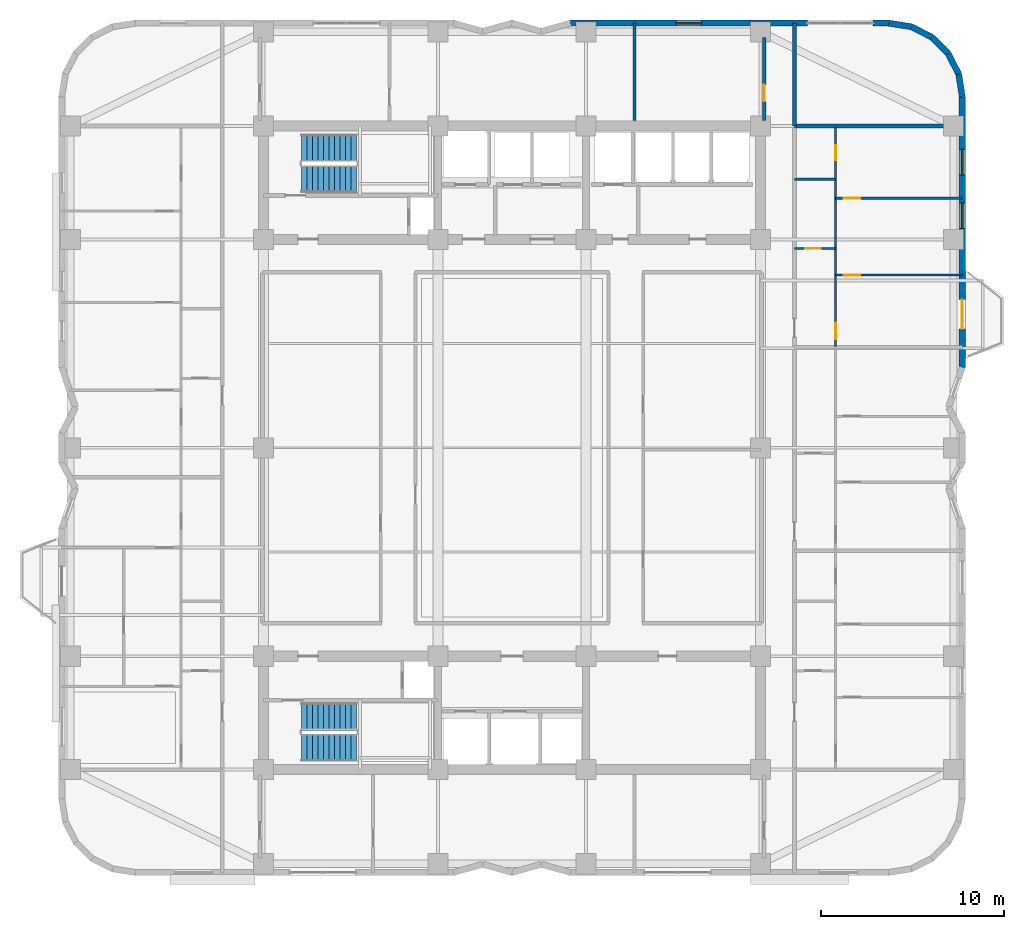
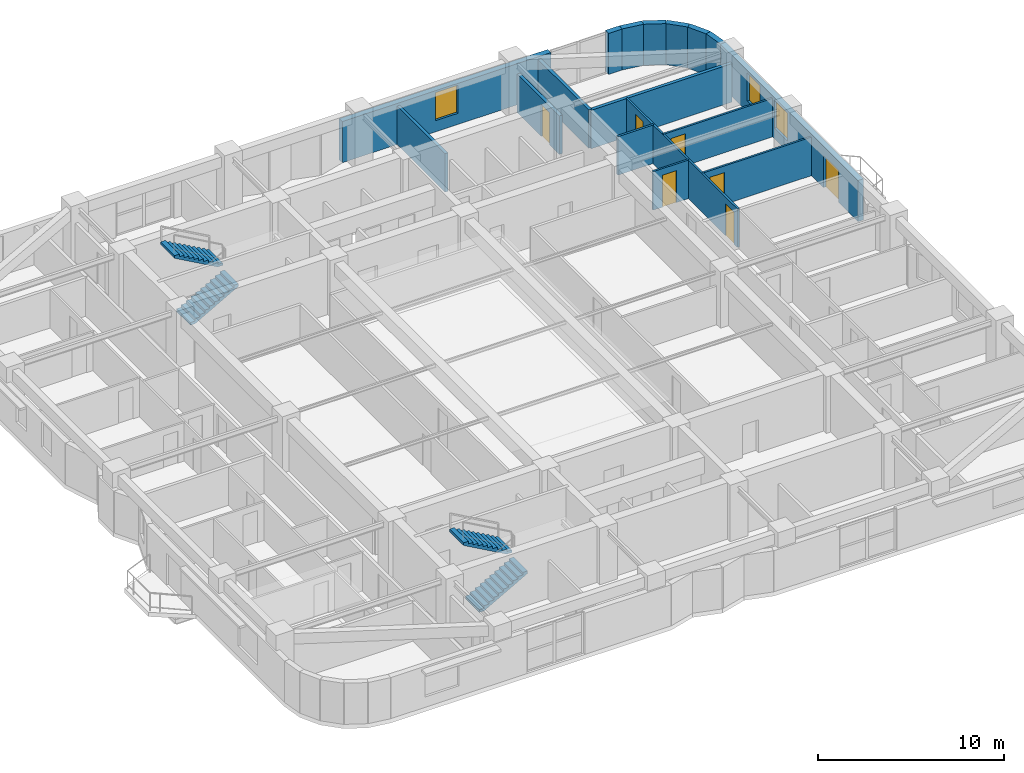
# One storey, part 12 of 15: 17 walls, 7 doors, 4 stair flights, 3 windows, 10 openings, 2 elements without a shape of their own.
"""IFC4 building model written with IfcOpenShell, lengths in metres."""

import ifcopenshell
import ifcopenshell.guid

model = None  # the IFC model being written
_history = None  # IfcOwnerHistory: only IFC2X3 demands one
_inside = {}  # id of a spatial element -> (the spatial element, [elements in it])
_under = {}  # id of a project, library or spatial element -> (it, [spatial elements below it])
_declared = {}  # id of a project -> (the project, [libraries it declares])
_typed = {}  # id of a type object -> (the type object, [elements of that type])
_made_of = {}  # id of a material, layer set ... -> (it, [elements and type objects made of it])


def new_model(schema):
    """Start an empty IFC model of exactly this schema.

    Asked for "IFC4X3", IfcOpenShell would pick the latest addendum, in which some entities
    have other attributes; the version numbers below select the first issue.
    IFC2X3 requires an IfcOwnerHistory on every rooted entity: one is made here for all.
    """
    global model, _history
    if schema == "IFC4X3":
        model = ifcopenshell.file(schema_version=(4, 3, 0, 0))
    else:
        model = ifcopenshell.file(schema=schema)
    _inside.clear()
    _under.clear()
    _declared.clear()
    _typed.clear()
    _made_of.clear()
    _history = None
    if model.schema == "IFC2X3":
        org = make("IfcOrganization", Name="unknown")
        user = make(
            "IfcPersonAndOrganization",
            ThePerson=make("IfcPerson", FamilyName="unknown"),
            TheOrganization=org,
        )
        app = make(
            "IfcApplication",
            ApplicationDeveloper=org,
            Version="unknown",
            ApplicationFullName="unknown",
            ApplicationIdentifier="unknown",
        )
        _history = make(
            "IfcOwnerHistory",
            OwningUser=user,
            OwningApplication=app,
            ChangeAction="ADDED",
            CreationDate=0,
        )
    return model


def make(cls, **values):
    """One entity of the class cls with the attributes given. An attribute that is None is left unset."""
    return model.create_entity(
        cls, **{name: value for name, value in values.items() if value is not None}
    )


def rooted(cls, **values):
    """An entity with a GlobalId (a new one), such as an element, a storey or a relation."""
    return make(cls, GlobalId=ifcopenshell.guid.new(), OwnerHistory=_history, **values)


def si_unit(unit_type, name, prefix=None):
    """IfcSIUnit, for example si_unit("LENGTHUNIT", "METRE", prefix="MILLI")."""
    return make("IfcSIUnit", UnitType=unit_type, Prefix=prefix, Name=name)


def assignment(units):
    """IfcUnitAssignment: the units of a project."""
    return None if units is None else make("IfcUnitAssignment", Units=units)


def point(xyz):
    """IfcCartesianPoint."""
    return None if xyz is None else make("IfcCartesianPoint", Coordinates=xyz)


def direction(xyz):
    """IfcDirection."""
    return None if xyz is None else make("IfcDirection", DirectionRatios=xyz)


def frame(location, z_axis=None, x_axis=None):
    """IfcAxis2Placement3D, a coordinate frame: its origin and axes. An axis left out is left unset."""
    return make(
        "IfcAxis2Placement3D",
        Location=point(location),
        Axis=direction(z_axis),
        RefDirection=direction(x_axis),
    )


def frame_2d(location, x_axis=None):
    """IfcAxis2Placement2D, a coordinate frame in the plane: its origin and x axis."""
    return make(
        "IfcAxis2Placement2D", Location=point(location), RefDirection=direction(x_axis)
    )


def origin():
    """The frame at (0, 0, 0) with its axes left unset."""
    return frame((0.0, 0.0, 0.0))


def place(relative_to, where):
    """IfcLocalPlacement: puts the frame where relative to a parent placement (None: the world)."""
    return make(
        "IfcLocalPlacement", PlacementRelTo=relative_to, RelativePlacement=where
    )


def context(
    kind, dimensions, precision=None, world=None, true_north=None, identifier=None
):
    """IfcGeometricRepresentationContext, for example the 3D "Model" context."""
    return make(
        "IfcGeometricRepresentationContext",
        ContextIdentifier=identifier,
        ContextType=kind,
        CoordinateSpaceDimension=dimensions,
        Precision=precision,
        WorldCoordinateSystem=world,
        TrueNorth=true_north,
    )


def subcontext(parent, identifier, kind, view, scale=None):
    """IfcGeometricRepresentationSubContext, for example "Body" below "Model"."""
    return make(
        "IfcGeometricRepresentationSubContext",
        ContextIdentifier=identifier,
        ContextType=kind,
        ParentContext=parent,
        TargetScale=scale,
        TargetView=view,
    )


def project(units=None, contexts=None):
    """IfcProject with its units and contexts."""
    return rooted(
        "IfcProject",
        Name="project",
        RepresentationContexts=contexts,
        UnitsInContext=assignment(units),
    )


def spatial(cls, under=None, at=None, **own):
    """A site, building, storey or space (cls), placed at a placement, below another one or the project."""
    s = rooted(cls, ObjectPlacement=at, **own)
    if under is not None:
        _under.setdefault(under.id(), (under, []))[1].append(s)
    return s


def polyline(points):
    """IfcPolyline through the points."""
    return make("IfcPolyline", Points=[point(p) for p in points])


def profile(cls, at=None, kind="AREA", **sizes):
    """A parametric profile (cls). Its sizes go by their IFC names, for example OverallWidth=200.0."""
    return make(cls, ProfileType=kind, Position=at, **sizes)


def rectangle(**sizes):
    """IfcRectangleProfileDef."""
    return profile("IfcRectangleProfileDef", **sizes)


def outline(outer, holes=None, kind="AREA"):
    """IfcArbitraryClosedProfileDef: a profile drawn as a closed curve; with holes, ...WithVoids."""
    if holes is None:
        return make("IfcArbitraryClosedProfileDef", ProfileType=kind, OuterCurve=outer)
    return make(
        "IfcArbitraryProfileDefWithVoids",
        ProfileType=kind,
        OuterCurve=outer,
        InnerCurves=holes,
    )


def extrude(swept, where, along, depth):
    """IfcExtrudedAreaSolid: the profile swept, set in the frame where, extruded along a direction by depth."""
    return make(
        "IfcExtrudedAreaSolid",
        SweptArea=swept,
        Position=where,
        ExtrudedDirection=direction(along),
        Depth=depth,
    )


def shape(context_of_items, identifier, shape_type, items):
    """IfcShapeRepresentation: the items that make up one representation, for example the "Body"."""
    return make(
        "IfcShapeRepresentation",
        ContextOfItems=context_of_items,
        RepresentationIdentifier=identifier,
        RepresentationType=shape_type,
        Items=items,
    )


def material(Name=None, Category=None):
    """IfcMaterial."""
    return make("IfcMaterial", Name=Name, Category=Category)


def layer(
    of_material, thickness, ventilated=None, Name=None, Category=None, Priority=None
):
    """IfcMaterialLayer: one layer of a wall or slab, of a material (None: an air gap)."""
    return make(
        "IfcMaterialLayer",
        Material=of_material,
        LayerThickness=thickness,
        IsVentilated=ventilated,
        Name=Name,
        Category=Category,
        Priority=Priority,
    )


def layer_set(layers, Name=None):
    """IfcMaterialLayerSet."""
    return make("IfcMaterialLayerSet", MaterialLayers=layers, LayerSetName=Name)


def made_of(thing, what):
    """Note that an element or type object is made of a material, layer set ...; save() writes the relation."""
    if what is not None:
        _made_of.setdefault(what.id(), (what, []))[1].append(thing)
    return thing


def type_object(cls, material=None, **own):
    """A type object (cls), such as IfcWallType, which elements share."""
    return made_of(rooted(cls, **own), material)


def element(
    cls,
    number,
    at=None,
    inside=None,
    cuts=None,
    type_object=None,
    material=None,
    context=None,
    identifier="Body",
    shape_type=None,
    held_by="IfcProductDefinitionShape",
    body=None,
    shapes=None,
    **own,
):
    """One element of the class cls, such as IfcWall. Its Tag is "e" and its number.

    at: its placement. inside: the storey or other place that contains it. cuts: it is an
    opening in that element (IfcRelVoidsElement). A single representation is given by context,
    identifier, shape_type and body (its items); several are given by shapes. held_by: the class
    of the entity that holds the representations. save() writes the other relations.
    """
    e = rooted(cls, Tag="e%d" % number, ObjectPlacement=at, **own)
    if body is not None:
        shapes = [shape(context, identifier, shape_type, body)]
    if shapes is not None:
        e.Representation = make(held_by, Representations=shapes)
    if inside is not None:
        _inside.setdefault(inside.id(), (inside, []))[1].append(e)
    if cuts is not None:
        rooted(
            "IfcRelVoidsElement", RelatingBuildingElement=cuts, RelatedOpeningElement=e
        )
    if type_object is not None:
        _typed.setdefault(type_object.id(), (type_object, []))[1].append(e)
    return made_of(e, material)


def fill(opening, filler):
    """IfcRelFillsElement: the door or window that sits in an opening."""
    return rooted(
        "IfcRelFillsElement",
        RelatingOpeningElement=opening,
        RelatedBuildingElement=filler,
    )


def aggregate(whole, parts):
    """IfcRelAggregates: a whole, such as a stair, and the parts it consists of."""
    return rooted("IfcRelAggregates", RelatingObject=whole, RelatedObjects=parts)


def save(model, path):
    """Write the relations noted so far, then the file.

    IfcRelAggregates (storeys below a building ...), IfcRelContainedInSpatialStructure (elements
    in a storey), IfcRelDefinesByType, IfcRelAssociatesMaterial and IfcRelDeclares: one each for
    every whole, place, type object, material and project.
    """
    for whole, parts in _under.values():
        aggregate(whole, parts)
    for where, things in _inside.values():
        rooted(
            "IfcRelContainedInSpatialStructure",
            RelatedElements=things,
            RelatingStructure=where,
        )
    for kind, things in _typed.values():
        rooted("IfcRelDefinesByType", RelatedObjects=things, RelatingType=kind)
    for what, things in _made_of.values():
        rooted("IfcRelAssociatesMaterial", RelatedObjects=things, RelatingMaterial=what)
    for by, libraries in _declared.values():
        rooted("IfcRelDeclares", RelatingContext=by, RelatedDefinitions=libraries)
    model.write(path)


model = new_model("IFC4")

# Units and contexts
model_context = context("Model", 3, precision=1e-05, world=origin(), true_north=direction((0.0, 1.0)))
body_context = subcontext(model_context, "Body", "Model", "MODEL_VIEW")
ifc_project = project(units=[si_unit("LENGTHUNIT", "METRE"), si_unit("AREAUNIT", "SQUARE_METRE"), si_unit("VOLUMEUNIT", "CUBIC_METRE"), si_unit("PLANEANGLEUNIT", "RADIAN"), si_unit("MASSUNIT", "GRAM", prefix="KILO")], contexts=[model_context])

# Site, building, storey
site_placement = place(None, origin())
site = spatial("IfcSite", under=ifc_project, at=site_placement, CompositionType="ELEMENT")
building_placement = place(site_placement, origin())
building = spatial("IfcBuilding", under=site, at=building_placement, Name="Svetorya Sky Lyceum", CompositionType="ELEMENT")
storey_placement = place(building_placement, frame((0.0, 0.0, 117.89990234375)))
storey = spatial("IfcBuildingStorey", under=building, at=storey_placement, Name="L29", CompositionType="ELEMENT", Elevation=117.89990234375)

# Wall, openings, door, windows
ifc_material_1 = material(Name="Putilovo limestone rainscreen on autoclaved cellular masonry", Category="masonry")
ifc_layer_1 = layer(ifc_material_1, 0.340087890625)
ifc_layer_set_1 = layer_set([ifc_layer_1], Name="Putilovo limestone rainscreen on autoclaved cellular masonry")
wall_type_1 = type_object("IfcWallType", Name="WL-EXT-340", PredefinedType="SOLIDWALL", material=ifc_layer_set_1)
wall_1_placement = place(storey_placement, frame((63.830078125, 32.60009765625, 0.0), z_axis=(0.0, 0.0, 1.0), x_axis=(0.0, 1.0, 0.0)))
wall_1 = element("IfcWall", 1, at=wall_1_placement, inside=storey, type_object=wall_type_1, Name="L29 Limestone Exterior Wall 23M", PredefinedType="SOLIDWALL", context=body_context, shape_type="SweptSolid", body=[
    extrude(rectangle(XDim=14.7998046875, YDim=0.340087890625, at=frame_2d((7.39990234375, 0.0))), origin(), (0.0, 0.0, 1.0), 2.7001953125),
])
opening_1_placement = place(wall_1_placement, frame((2.10009765625, 0.0, 0.0)))
opening_1 = element("IfcOpeningElement", 2, at=opening_1_placement, cuts=wall_1, Name="Opening D-BL1", PredefinedType="OPENING", context=body_context, shape_type="SweptSolid", body=[
    extrude(rectangle(XDim=1.60009765625, YDim=2.10009765625, at=frame_2d((0.800048828125, 1.050048828125))), frame((0.0, 0.179931640625, 0.0), z_axis=(0.0, -1.0, 0.0), x_axis=(1.0, 0.0, 0.0)), (0.0, 0.0, 1.0), 0.360107421875),
])
opening_2_placement = place(wall_1_placement, frame((7.60009765625, 0.0, 0.68994140625)))
opening_2 = element("IfcOpeningElement", 3, at=opening_2_placement, cuts=wall_1, Name="Opening W-R2", PredefinedType="OPENING", context=body_context, shape_type="SweptSolid", body=[
    extrude(rectangle(XDim=1.39990234375, YDim=1.85009765625, at=frame_2d((0.699951171875, 0.925048828125))), frame((0.0, 0.179931640625, 0.0), z_axis=(0.0, -1.0, 0.0), x_axis=(1.0, 0.0, 0.0)), (0.0, 0.0, 1.0), 0.360107421875),
])
opening_3_placement = place(wall_1_placement, frame((10.52001953125, 0.0, 0.68994140625)))
opening_3 = element("IfcOpeningElement", 4, at=opening_3_placement, cuts=wall_1, Name="Opening W-R2", PredefinedType="OPENING", context=body_context, shape_type="SweptSolid", body=[
    extrude(rectangle(XDim=1.39990234375, YDim=1.85009765625, at=frame_2d((0.699951171875, 0.925048828125))), frame((0.0, 0.179931640625, 0.0), z_axis=(0.0, -1.0, 0.0), x_axis=(1.0, 0.0, 0.0)), (0.0, 0.0, 1.0), 0.360107421875),
])
ifc_material_2 = material(Name="Insulated glazed aluminium balcony door", Category="aluminium")
door_type_1 = type_object("IfcDoorType", Name="DR-BAL-1600", OperationType="DOUBLE_DOOR_SINGLE_SWING", PredefinedType="DOOR", material=ifc_material_2)
door_1_placement = place(opening_1_placement, origin())
door_1 = element("IfcDoor", 5, at=door_1_placement, inside=storey, type_object=door_type_1, Name="L29 Balcony BAL-E1 Door", OperationType="DOUBLE_DOOR_SINGLE_SWING", OverallHeight=2.10009765625, OverallWidth=1.60009765625, PredefinedType="DOOR", context=body_context, shape_type="SweptSolid", body=[
    extrude(rectangle(XDim=1.60009765625, YDim=2.10009765625, at=frame_2d((0.800048828125, 1.050048828125))), frame((0.0, 0.02490234375, 0.0), z_axis=(0.0, -1.0, 0.0), x_axis=(1.0, 0.0, 0.0)), (0.0, 0.0, 1.0), 0.050048828125),
])
fill(opening_1, door_1)
ifc_material_3 = material(Name="Thermally broken aluminium frame with triple low-E glazing", Category="aluminium")
window_type = type_object("IfcWindowType", Name="WN-RES-140", PartitioningType="SINGLE_PANEL", PredefinedType="WINDOW", material=ifc_material_3)
window_1_placement = place(opening_2_placement, origin())
window_1 = element("IfcWindow", 6, at=window_1_placement, inside=storey, type_object=window_type, Name="L29 Facade Window W-R2.23M.1", OverallHeight=1.85009765625, OverallWidth=1.39990234375, PartitioningType="SINGLE_PANEL", PredefinedType="WINDOW", context=body_context, shape_type="SweptSolid", body=[
    extrude(rectangle(XDim=1.39990234375, YDim=1.85009765625, at=frame_2d((0.699951171875, 0.925048828125))), frame((0.0, 0.030029296875, 0.0), z_axis=(0.0, -1.0, 0.0), x_axis=(1.0, 0.0, 0.0)), (0.0, 0.0, 1.0), 0.06005859375),
])
fill(opening_2, window_1)
window_2_placement = place(opening_3_placement, origin())
window_2 = element("IfcWindow", 7, at=window_2_placement, inside=storey, type_object=window_type, Name="L29 Facade Window W-R2.23M.2", OverallHeight=1.85009765625, OverallWidth=1.39990234375, PartitioningType="SINGLE_PANEL", PredefinedType="WINDOW", context=body_context, shape_type="SweptSolid", body=[
    extrude(rectangle(XDim=1.39990234375, YDim=1.85009765625, at=frame_2d((0.699951171875, 0.925048828125))), frame((0.0, 0.030029296875, 0.0), z_axis=(0.0, -1.0, 0.0), x_axis=(1.0, 0.0, 0.0)), (0.0, 0.0, 1.0), 0.06005859375),
])
fill(opening_3, window_2)

# Walls
for number, where, z_axis, x_axis, name in (
    (8, (63.830078125, 47.39990234375, 0.0), (0.0, 0.0, 1.0), (-0.15644975923, 0.987685918112, 0.0), "L29 Limestone Exterior Wall 24M"),
    (9, (63.6328125, 48.645263671875, 0.0), (0.0, 0.0, 1.0), (-0.454015689056, 0.890993689142, 0.0), "L29 Limestone Exterior Wall 25M"),
    (10, (63.060302734375, 49.768798828125, 0.0), (0.0, 0.0, 1.0), (-0.707106781187, 0.707106781187, 0.0), "L29 Limestone Exterior Wall 26M"),
):
    element("IfcWall", number, at=place(storey_placement, frame(where, z_axis=z_axis, x_axis=x_axis)), inside=storey, type_object=wall_type_1, Name=name, PredefinedType="SOLIDWALL", context=body_context, shape_type="SweptSolid", body=[
        extrude(rectangle(XDim=1.260986328125, YDim=0.340087890625, at=frame_2d((0.63037109375, 0.0))), origin(), (0.0, 0.0, 1.0), 2.7001953125),
    ])
for number, where, z_axis, x_axis, name in (
    (11, (62.168701171875, 50.660400390625, 0.0), (0.0, 0.0, 1.0), (-0.890953769915, 0.454094020963, 0.0), "L29 Limestone Exterior Wall 27M"),
    (12, (61.04541015625, 51.23291015625, 0.0), (0.0, 0.0, 1.0), (-0.98771582066, 0.156260864002, 0.0), "L29 Limestone Exterior Wall 28M"),
):
    element("IfcWall", number, at=place(storey_placement, frame(where, z_axis=z_axis, x_axis=x_axis)), inside=storey, type_object=wall_type_1, Name=name, PredefinedType="SOLIDWALL", context=body_context, shape_type="SweptSolid", body=[
        extrude(rectangle(XDim=1.2607421875, YDim=0.340087890625, at=frame_2d((0.63037109375, 0.0))), origin(), (0.0, 0.0, 1.0), 2.7001953125),
    ])
wall_2_placement = place(storey_placement, frame((59.800048828125, 51.429931640625, 0.0), z_axis=(0.0, 0.0, 1.0), x_axis=(-1.0, 0.0, 0.0)))
element("IfcWall", 13, at=wall_2_placement, inside=storey, type_object=wall_type_1, Name="L29 Limestone Exterior Wall 29A", PredefinedType="SOLIDWALL", context=body_context, shape_type="SweptSolid", body=[
    extrude(rectangle(XDim=0.85009765625, YDim=0.340087890625, at=frame_2d((0.425048828125, 0.0))), origin(), (0.0, 0.0, 1.0), 2.7001953125),
])

# Wall, opening, window
wall_3_placement = place(storey_placement, frame((55.35009765625, 51.429931640625, 0.0), z_axis=(0.0, 0.0, 1.0), x_axis=(-1.0, 0.0, 0.0)))
wall_3 = element("IfcWall", 14, at=wall_3_placement, inside=storey, type_object=wall_type_1, Name="L29 Limestone Exterior Wall 29B", PredefinedType="SOLIDWALL", context=body_context, shape_type="SweptSolid", body=[
    extrude(rectangle(XDim=12.9501953125, YDim=0.340087890625, at=frame_2d((6.47509765625, 0.0))), origin(), (0.0, 0.0, 1.0), 2.7001953125),
])
opening_4_placement = place(wall_3_placement, frame((5.77490234375, 0.0, 0.72998046875)))
opening_4 = element("IfcOpeningElement", 15, at=opening_4_placement, cuts=wall_3, Name="Opening W-R2", PredefinedType="OPENING", context=body_context, shape_type="SweptSolid", body=[
    extrude(rectangle(XDim=1.39990234375, YDim=1.85009765625, at=frame_2d((0.699951171875, 0.925048828125))), frame((0.0, 0.179931640625, 0.0), z_axis=(0.0, -1.0, 0.0), x_axis=(1.0, 0.0, 0.0)), (0.0, 0.0, 1.0), 0.360107421875),
])
window_3_placement = place(opening_4_placement, origin())
window_3 = element("IfcWindow", 16, at=window_3_placement, inside=storey, type_object=window_type, Name="L29 Facade Window W-R2.29B.1", OverallHeight=1.85009765625, OverallWidth=1.39990234375, PartitioningType="SINGLE_PANEL", PredefinedType="WINDOW", context=body_context, shape_type="SweptSolid", body=[
    extrude(rectangle(XDim=1.39990234375, YDim=1.85009765625, at=frame_2d((0.699951171875, 0.925048828125))), frame((0.0, 0.030029296875, 0.0), z_axis=(0.0, -1.0, 0.0), x_axis=(1.0, 0.0, 0.0)), (0.0, 0.0, 1.0), 0.06005859375),
])
fill(opening_4, window_3)

# Wall, opening, door
ifc_material_4 = material(Name="Twin-stud galvanized framing with double fireboard", Category="gypsum")
ifc_layer_2 = layer(ifc_material_4, 0.1201171875)
ifc_layer_set_2 = layer_set([ifc_layer_2], Name="Twin-stud galvanized framing with double fireboard")
wall_type_2 = type_object("IfcWallType", Name="WL-PART-120", PredefinedType="PARTITIONING", material=ifc_layer_set_2)
wall_4_placement = place(storey_placement, frame((54.64990234375, 39.10009765625, 0.0), z_axis=(0.0, 0.0, 1.0), x_axis=(1.0, 0.0, 0.0)))
wall_4 = element("IfcWall", 17, at=wall_4_placement, inside=storey, type_object=wall_type_2, Name="L29 Interior Partition E3-WH1", PredefinedType="PARTITIONING", context=body_context, shape_type="SweptSolid", body=[
    extrude(rectangle(XDim=2.25, YDim=0.1201171875, at=frame_2d((1.125, 0.0))), origin(), (0.0, 0.0, 1.0), 2.530029296875),
])
opening_5_placement = place(wall_4_placement, frame((0.60009765625, 0.0, 0.0)))
opening_5 = element("IfcOpeningElement", 18, at=opening_5_placement, cuts=wall_4, Name="Opening D-BT1", PredefinedType="OPENING", context=body_context, shape_type="SweptSolid", body=[
    extrude(rectangle(XDim=0.85009765625, YDim=2.10009765625, at=frame_2d((0.425048828125, 1.050048828125))), frame((0.0, 0.070068359375, 0.0), z_axis=(0.0, -1.0, 0.0), x_axis=(1.0, 0.0, 0.0)), (0.0, 0.0, 1.0), 0.14013671875),
])
ifc_material_5 = material(Name="Moisture-resistant laminate bathroom door")
door_type_2 = type_object("IfcDoorType", Name="DR-WET-850", OperationType="SINGLE_SWING_LEFT", PredefinedType="DOOR", material=ifc_material_5)
door_2_placement = place(opening_5_placement, origin())
door_2 = element("IfcDoor", 19, at=door_2_placement, inside=storey, type_object=door_type_2, Name="Apartment E3 Bathroom Door", OperationType="SINGLE_SWING_RIGHT", OverallHeight=2.10009765625, OverallWidth=0.85009765625, PredefinedType="DOOR", context=body_context, shape_type="SweptSolid", body=[
    extrude(rectangle(XDim=0.85009765625, YDim=2.10009765625, at=frame_2d((0.425048828125, 1.050048828125))), frame((0.0, 0.02490234375, 0.0), z_axis=(0.0, -1.0, 0.0), x_axis=(1.0, 0.0, 0.0)), (0.0, 0.0, 1.0), 0.050048828125),
])
fill(opening_5, door_2)

wall_5_placement = place(storey_placement, frame((56.89990234375, 37.64990234375, 0.0), z_axis=(0.0, 0.0, 1.0), x_axis=(1.0, 0.0, 0.0)))
wall_5 = element("IfcWall", 20, at=wall_5_placement, inside=storey, type_object=wall_type_2, Name="L29 Interior Partition E3-WL1", PredefinedType="PARTITIONING", context=body_context, shape_type="SweptSolid", body=[
    extrude(rectangle(XDim=6.93017578125, YDim=0.1201171875, at=frame_2d((3.465087890625, 0.0))), origin(), (0.0, 0.0, 1.0), 2.530029296875),
])
opening_6_placement = place(wall_5_placement, frame((0.449951171875, 0.0, 0.0)))
opening_6 = element("IfcOpeningElement", 21, at=opening_6_placement, cuts=wall_5, Name="Opening D-RM1", PredefinedType="OPENING", context=body_context, shape_type="SweptSolid", body=[
    extrude(rectangle(XDim=0.89990234375, YDim=2.10009765625, at=frame_2d((0.449951171875, 1.050048828125))), frame((0.0, 0.070068359375, 0.0), z_axis=(0.0, -1.0, 0.0), x_axis=(1.0, 0.0, 0.0)), (0.0, 0.0, 1.0), 0.14013671875),
])
ifc_material_6 = material(Name="Lacquered birch veneer internal door")
door_type_3 = type_object("IfcDoorType", Name="DR-INT-900", OperationType="SINGLE_SWING_LEFT", PredefinedType="DOOR", material=ifc_material_6)
door_3_placement = place(opening_6_placement, origin())
door_3 = element("IfcDoor", 22, at=door_3_placement, inside=storey, type_object=door_type_3, Name="Apartment E3 Master Bedroom Door", OperationType="SINGLE_SWING_RIGHT", OverallHeight=2.10009765625, OverallWidth=0.89990234375, PredefinedType="DOOR", context=body_context, shape_type="SweptSolid", body=[
    extrude(rectangle(XDim=0.89990234375, YDim=2.10009765625, at=frame_2d((0.449951171875, 1.050048828125))), frame((0.0, 0.02490234375, 0.0), z_axis=(0.0, -1.0, 0.0), x_axis=(1.0, 0.0, 0.0)), (0.0, 0.0, 1.0), 0.050048828125),
])
fill(opening_6, door_3)

wall_6_placement = place(storey_placement, frame((56.89990234375, 41.85009765625, 0.0), z_axis=(0.0, 0.0, 1.0), x_axis=(1.0, 0.0, 0.0)))
wall_6 = element("IfcWall", 23, at=wall_6_placement, inside=storey, type_object=wall_type_2, Name="L29 Interior Partition E3-WL2", PredefinedType="PARTITIONING", context=body_context, shape_type="SweptSolid", body=[
    extrude(rectangle(XDim=6.93017578125, YDim=0.1201171875, at=frame_2d((3.465087890625, 0.0))), origin(), (0.0, 0.0, 1.0), 2.530029296875),
])
opening_7_placement = place(wall_6_placement, frame((0.449951171875, 0.0, 0.0)))
opening_7 = element("IfcOpeningElement", 24, at=opening_7_placement, cuts=wall_6, Name="Opening D-RM1", PredefinedType="OPENING", context=body_context, shape_type="SweptSolid", body=[
    extrude(rectangle(XDim=0.89990234375, YDim=2.10009765625, at=frame_2d((0.449951171875, 1.050048828125))), frame((0.0, 0.070068359375, 0.0), z_axis=(0.0, -1.0, 0.0), x_axis=(1.0, 0.0, 0.0)), (0.0, 0.0, 1.0), 0.14013671875),
])
door_4_placement = place(opening_7_placement, origin())
door_4 = element("IfcDoor", 25, at=door_4_placement, inside=storey, type_object=door_type_3, Name="Apartment E3 Bedroom 2 Door", OperationType="SINGLE_SWING_LEFT", OverallHeight=2.10009765625, OverallWidth=0.89990234375, PredefinedType="DOOR", context=body_context, shape_type="SweptSolid", body=[
    extrude(rectangle(XDim=0.89990234375, YDim=2.10009765625, at=frame_2d((0.449951171875, 1.050048828125))), frame((0.0, 0.02490234375, 0.0), z_axis=(0.0, -1.0, 0.0), x_axis=(1.0, 0.0, 0.0)), (0.0, 0.0, 1.0), 0.050048828125),
])
fill(opening_7, door_4)

# Wall, openings, doors
wall_7_placement = place(storey_placement, frame((56.89990234375, 33.739990234375, 0.0), z_axis=(0.0, 0.0, 1.0), x_axis=(0.0, 1.0, 0.0)))
wall_7 = element("IfcWall", 26, at=wall_7_placement, inside=storey, type_object=wall_type_2, Name="L29 Interior Partition E3-WV", PredefinedType="PARTITIONING", context=body_context, shape_type="SweptSolid", body=[
    extrude(rectangle(XDim=12.02001953125, YDim=0.1201171875, at=frame_2d((6.010009765625, 0.0))), origin(), (0.0, 0.0, 1.0), 2.530029296875),
])
opening_8_placement = place(wall_7_placement, frame((0.409912109375, 0.0, 0.0)))
opening_8 = element("IfcOpeningElement", 27, at=opening_8_placement, cuts=wall_7, Name="Opening D-RM1", PredefinedType="OPENING", context=body_context, shape_type="SweptSolid", body=[
    extrude(rectangle(XDim=0.89990234375, YDim=2.10009765625, at=frame_2d((0.449951171875, 1.050048828125))), frame((0.0, 0.070068359375, 0.0), z_axis=(0.0, -1.0, 0.0), x_axis=(1.0, 0.0, 0.0)), (0.0, 0.0, 1.0), 0.14013671875),
])
opening_9_placement = place(wall_7_placement, frame((10.18505859375, 0.0, 0.0)))
opening_9 = element("IfcOpeningElement", 28, at=opening_9_placement, cuts=wall_7, Name="Opening D-BT2", PredefinedType="OPENING", context=body_context, shape_type="SweptSolid", body=[
    extrude(rectangle(XDim=0.820068359375, YDim=2.080078125, at=frame_2d((0.41015625, 1.0400390625))), frame((0.0, 0.070068359375, 0.0), z_axis=(0.0, -1.0, 0.0), x_axis=(1.0, 0.0, 0.0)), (0.0, 0.0, 1.0), 0.14013671875),
])
door_5_placement = place(opening_8_placement, origin())
door_5 = element("IfcDoor", 29, at=door_5_placement, inside=storey, type_object=door_type_3, Name="Apartment E3 Living Door", OperationType="SINGLE_SWING_LEFT", OverallHeight=2.10009765625, OverallWidth=0.89990234375, PredefinedType="DOOR", context=body_context, shape_type="SweptSolid", body=[
    extrude(rectangle(XDim=0.89990234375, YDim=2.10009765625, at=frame_2d((0.449951171875, 1.050048828125))), frame((0.0, 0.02490234375, 0.0), z_axis=(0.0, -1.0, 0.0), x_axis=(1.0, 0.0, 0.0)), (0.0, 0.0, 1.0), 0.050048828125),
])
fill(opening_8, door_5)
ifc_material_7 = material(Name="Compact moisture-resistant laminate closet door")
door_type_4 = type_object("IfcDoorType", Name="DR-WET-820", OperationType="SINGLE_SWING_LEFT", PredefinedType="DOOR", material=ifc_material_7)
door_6_placement = place(opening_9_placement, origin())
door_6 = element("IfcDoor", 30, at=door_6_placement, inside=storey, type_object=door_type_4, Name="Apartment E3 Study Door", OperationType="SINGLE_SWING_RIGHT", OverallHeight=2.080078125, OverallWidth=0.820068359375, PredefinedType="DOOR", context=body_context, shape_type="SweptSolid", body=[
    extrude(rectangle(XDim=0.820068359375, YDim=2.080078125, at=frame_2d((0.41015625, 1.0400390625))), frame((0.0, 0.02490234375, 0.0), z_axis=(0.0, -1.0, 0.0), x_axis=(1.0, 0.0, 0.0)), (0.0, 0.0, 1.0), 0.050048828125),
])
fill(opening_9, door_6)

# Walls
ifc_material_8 = material(Name="Twin-stud galvanized framing with acoustic board", Category="gypsum")
ifc_layer_3 = layer(ifc_material_8, 0.135009765625)
ifc_layer_set_3 = layer_set([ifc_layer_3], Name="Twin-stud galvanized framing with acoustic board")
wall_type_3 = type_object("IfcWallType", Name="WL-PART-135", PredefinedType="PARTITIONING", material=ifc_layer_set_3)
wall_8_placement = place(storey_placement, frame((54.64990234375, 42.89990234375, 0.0), z_axis=(0.0, 0.0, 1.0), x_axis=(1.0, 0.0, 0.0)))
element("IfcWall", 31, at=wall_8_placement, inside=storey, type_object=wall_type_3, Name="L29 Interior Partition E3-WH2", PredefinedType="PARTITIONING", context=body_context, shape_type="SweptSolid", body=[
    extrude(rectangle(XDim=2.25, YDim=0.135009765625, at=frame_2d((1.125, 0.0))), origin(), (0.0, 0.0, 1.0), 2.530029296875),
])
ifc_material_9 = material(Name="Autoclaved cellular masonry blockwork with fire render", Category="masonry")
ifc_layer_4 = layer(ifc_material_9, 0.175048828125)
ifc_layer_set_4 = layer_set([ifc_layer_4], Name="Autoclaved cellular masonry blockwork with fire render")
wall_type_4 = type_object("IfcWallType", Name="WL-PART-175", PredefinedType="PARTITIONING", material=ifc_layer_set_4)
wall_9_placement = place(storey_placement, frame((45.89990234375, 46.10009765625, 0.0), z_axis=(0.0, 0.0, 1.0), x_axis=(0.0, 1.0, 0.0)))
element("IfcWall", 32, at=wall_9_placement, inside=storey, type_object=wall_type_4, Name="L29 Interior Partition N-D2", PredefinedType="PARTITIONING", context=body_context, shape_type="SweptSolid", body=[
    extrude(rectangle(XDim=5.329833984375, YDim=0.175048828125, at=frame_2d((2.6650390625, 0.0))), origin(), (0.0, 0.0, 1.0), 2.530029296875),
])
ifc_material_10 = material(Name="Autoclaved cellular masonry blockwork with gypsum plaster", Category="masonry")
ifc_layer_5 = layer(ifc_material_10, 0.199951171875)
ifc_layer_set_5 = layer_set([ifc_layer_5], Name="Autoclaved cellular masonry blockwork with gypsum plaster")
wall_type_5 = type_object("IfcWallType", Name="WL-PART-200", PredefinedType="PARTITIONING", material=ifc_layer_set_5)
wall_10_placement = place(storey_placement, frame((54.64990234375, 45.800048828125, 0.0), z_axis=(0.0, 0.0, 1.0), x_axis=(1.0, 0.0, 0.0)))
element("IfcWall", 33, at=wall_10_placement, inside=storey, type_object=wall_type_5, Name="L29 Interior Partition E-CAP-N", PredefinedType="PARTITIONING", context=body_context, shape_type="SweptSolid", body=[
    extrude(rectangle(XDim=8.760009765625, YDim=0.199951171875, at=frame_2d((4.3798828125, 0.0))), origin(), (0.0, 0.0, 1.0), 2.530029296875),
])
wall_11_placement = place(storey_placement, frame((54.64990234375, 45.800048828125, 0.0), z_axis=(0.0, 0.0, 1.0), x_axis=(0.0, 1.0, 0.0)))
element("IfcWall", 34, at=wall_11_placement, inside=storey, type_object=wall_type_5, Name="L29 Interior Partition EC-NE-END", PredefinedType="PARTITIONING", context=body_context, shape_type="SweptSolid", body=[
    extrude(rectangle(XDim=5.6298828125, YDim=0.199951171875, at=frame_2d((2.81494140625, 0.0))), origin(), (0.0, 0.0, 1.0), 2.530029296875),
])

# Wall, opening, door
wall_12_placement = place(storey_placement, frame((53.0, 46.10009765625, 0.0), z_axis=(0.0, 0.0, 1.0), x_axis=(0.0, 1.0, 0.0)))
wall_12 = element("IfcWall", 35, at=wall_12_placement, inside=storey, type_object=wall_type_5, Name="L29 Interior Partition N-EE", PredefinedType="PARTITIONING", context=body_context, shape_type="SweptSolid", body=[
    extrude(rectangle(XDim=4.52978515625, YDim=0.199951171875, at=frame_2d((2.264892578125, 0.0))), origin(), (0.0, 0.0, 1.0), 2.530029296875),
])
opening_10_placement = place(wall_12_placement, frame((1.050048828125, 0.0, 0.0)))
opening_10 = element("IfcOpeningElement", 36, at=opening_10_placement, cuts=wall_12, Name="Opening D-RM1", PredefinedType="OPENING", context=body_context, shape_type="SweptSolid", body=[
    extrude(rectangle(XDim=0.89990234375, YDim=2.10009765625, at=frame_2d((0.449951171875, 1.050048828125))), frame((0.0, 0.10986328125, 0.0), z_axis=(0.0, -1.0, 0.0), x_axis=(1.0, 0.0, 0.0)), (0.0, 0.0, 1.0), 0.219970703125),
])
door_7_placement = place(opening_10_placement, origin())
door_7 = element("IfcDoor", 37, at=door_7_placement, inside=storey, type_object=door_type_3, Name="L29 North Meeting Door", OperationType="SINGLE_SWING_LEFT", OverallHeight=2.10009765625, OverallWidth=0.89990234375, PredefinedType="DOOR", context=body_context, shape_type="SweptSolid", body=[
    extrude(rectangle(XDim=0.89990234375, YDim=2.10009765625, at=frame_2d((0.449951171875, 1.050048828125))), frame((0.0, 0.02490234375, 0.0), z_axis=(0.0, -1.0, 0.0), x_axis=(1.0, 0.0, 0.0)), (0.0, 0.0, 1.0), 0.050048828125),
])
fill(opening_10, door_7)

# Stair, stair flights
ifc_material_11 = material(Name="Concrete C40/50", Category="concrete")
stair_type_1 = type_object("IfcStairType", Name="STR-ST-N", PredefinedType="HALF_TURN_STAIR", material=ifc_material_11)
stair_1_placement = place(storey_placement, origin())
stair_1 = element("IfcStair", 38, at=stair_1_placement, inside=storey, type_object=stair_type_1, Name="L29 North Core Smoke-Free Exit Stair N3", PredefinedType="HALF_TURN_STAIR")
stair_flight_type_1 = type_object("IfcStairFlightType", Name="SFL-ST-N", PredefinedType="STRAIGHT", material=ifc_material_11)
stair_flight_1_placement = place(storey_placement, frame((27.699951171875, 42.89990234375, 0.0), z_axis=(0.0, 0.0, 1.0), x_axis=(1.0, 0.0, 0.0)))
stair_flight_1 = element("IfcStairFlight", 39, at=stair_flight_1_placement, type_object=stair_flight_type_1, Name="ST-N flight 1", NumberOfRisers=11, NumberOfTreads=10, PredefinedType="STRAIGHT", RiserHeight=0.168181818, TreadLength=0.3, context=body_context, shape_type="SweptSolid", body=[
    extrude(outline(polyline([(0.0, 0.0), (0.0, 0.168212890625), (0.300048828125, 0.168212890625), (0.300048828125, 0.33642578125), (0.60009765625, 0.33642578125), (0.60009765625, 0.504638671875), (0.89990234375, 0.504638671875), (0.89990234375, 0.672607421875), (1.199951171875, 0.672607421875), (1.199951171875, 0.8408203125), (1.5, 0.8408203125), (1.5, 1.009033203125), (1.800048828125, 1.009033203125), (1.800048828125, 1.17724609375), (2.10009765625, 1.17724609375), (2.10009765625, 1.345458984375), (2.39990234375, 1.345458984375), (2.39990234375, 1.513671875), (2.699951171875, 1.513671875), (2.699951171875, 1.681884765625), (3.0, 1.681884765625), (3.0, 1.85009765625), (3.0, 1.510009765625), (0.306640625, 0.0), (0.0, 0.0)])), frame((0.0, 0.75, 0.0), z_axis=(0.0, -1.0, 0.0), x_axis=(1.0, 0.0, 0.0)), (0.0, 0.0, 1.0), 1.5),
])
stair_flight_2_placement = place(storey_placement, frame((30.699951171875, 44.60009765625, 1.85009765625), z_axis=(0.0, 0.0, 1.0), x_axis=(-1.0, 0.0, 0.0)))
stair_flight_2 = element("IfcStairFlight", 40, at=stair_flight_2_placement, type_object=stair_flight_type_1, Name="ST-N flight 2", NumberOfRisers=11, NumberOfTreads=10, PredefinedType="STRAIGHT", RiserHeight=0.168181818, TreadLength=0.3, context=body_context, shape_type="SweptSolid", body=[
    extrude(outline(polyline([(0.0, 0.0), (0.0, 0.168212890625), (0.300048828125, 0.168212890625), (0.300048828125, 0.33642578125), (0.60009765625, 0.33642578125), (0.60009765625, 0.504638671875), (0.89990234375, 0.504638671875), (0.89990234375, 0.672607421875), (1.199951171875, 0.672607421875), (1.199951171875, 0.8408203125), (1.5, 0.8408203125), (1.5, 1.009033203125), (1.800048828125, 1.009033203125), (1.800048828125, 1.17724609375), (2.10009765625, 1.17724609375), (2.10009765625, 1.345458984375), (2.39990234375, 1.345458984375), (2.39990234375, 1.513671875), (2.699951171875, 1.513671875), (2.699951171875, 1.681884765625), (3.0, 1.681884765625), (3.0, 1.85009765625), (3.0, 1.510009765625), (0.306640625, 0.0), (0.0, 0.0)])), frame((0.0, 0.75, 0.0), z_axis=(0.0, -1.0, 0.0), x_axis=(1.0, 0.0, 0.0)), (0.0, 0.0, 1.0), 1.5),
])
aggregate(stair_1, [stair_flight_1, stair_flight_2])

stair_type_2 = type_object("IfcStairType", Name="STR-ST-S", PredefinedType="HALF_TURN_STAIR", material=ifc_material_11)
stair_2_placement = place(storey_placement, origin())
stair_2 = element("IfcStair", 41, at=stair_2_placement, inside=storey, type_object=stair_type_2, Name="L29 South Core Smoke-Free Exit Stair N2", PredefinedType="HALF_TURN_STAIR")
stair_flight_type_2 = type_object("IfcStairFlightType", Name="SFL-ST-S", PredefinedType="STRAIGHT", material=ifc_material_11)
stair_flight_3_placement = place(storey_placement, frame((27.699951171875, 11.800048828125, 0.0), z_axis=(0.0, 0.0, 1.0), x_axis=(1.0, 0.0, 0.0)))
stair_flight_3 = element("IfcStairFlight", 42, at=stair_flight_3_placement, type_object=stair_flight_type_2, Name="ST-S flight 1", NumberOfRisers=11, NumberOfTreads=10, PredefinedType="STRAIGHT", RiserHeight=0.168181818, TreadLength=0.3, context=body_context, shape_type="SweptSolid", body=[
    extrude(outline(polyline([(0.0, 0.0), (0.0, 0.168212890625), (0.300048828125, 0.168212890625), (0.300048828125, 0.33642578125), (0.60009765625, 0.33642578125), (0.60009765625, 0.504638671875), (0.89990234375, 0.504638671875), (0.89990234375, 0.672607421875), (1.199951171875, 0.672607421875), (1.199951171875, 0.8408203125), (1.5, 0.8408203125), (1.5, 1.009033203125), (1.800048828125, 1.009033203125), (1.800048828125, 1.17724609375), (2.10009765625, 1.17724609375), (2.10009765625, 1.345458984375), (2.39990234375, 1.345458984375), (2.39990234375, 1.513671875), (2.699951171875, 1.513671875), (2.699951171875, 1.681884765625), (3.0, 1.681884765625), (3.0, 1.85009765625), (3.0, 1.510009765625), (0.306640625, 0.0), (0.0, 0.0)])), frame((0.0, 0.75, 0.0), z_axis=(0.0, -1.0, 0.0), x_axis=(1.0, 0.0, 0.0)), (0.0, 0.0, 1.0), 1.5),
])
stair_flight_4_placement = place(storey_placement, frame((30.699951171875, 13.5, 1.85009765625), z_axis=(0.0, 0.0, 1.0), x_axis=(-1.0, 0.0, 0.0)))
stair_flight_4 = element("IfcStairFlight", 43, at=stair_flight_4_placement, type_object=stair_flight_type_2, Name="ST-S flight 2", NumberOfRisers=11, NumberOfTreads=10, PredefinedType="STRAIGHT", RiserHeight=0.168181818, TreadLength=0.3, context=body_context, shape_type="SweptSolid", body=[
    extrude(outline(polyline([(0.0, 0.0), (0.0, 0.168212890625), (0.300048828125, 0.168212890625), (0.300048828125, 0.33642578125), (0.60009765625, 0.33642578125), (0.60009765625, 0.504638671875), (0.89990234375, 0.504638671875), (0.89990234375, 0.672607421875), (1.199951171875, 0.672607421875), (1.199951171875, 0.8408203125), (1.5, 0.8408203125), (1.5, 1.009033203125), (1.800048828125, 1.009033203125), (1.800048828125, 1.17724609375), (2.10009765625, 1.17724609375), (2.10009765625, 1.345458984375), (2.39990234375, 1.345458984375), (2.39990234375, 1.513671875), (2.699951171875, 1.513671875), (2.699951171875, 1.681884765625), (3.0, 1.681884765625), (3.0, 1.85009765625), (3.0, 1.510009765625), (0.306640625, 0.0), (0.0, 0.0)])), frame((0.0, 0.75, 0.0), z_axis=(0.0, -1.0, 0.0), x_axis=(1.0, 0.0, 0.0)), (0.0, 0.0, 1.0), 1.5),
])
aggregate(stair_2, [stair_flight_3, stair_flight_4])

save(model, "model.ifc")
